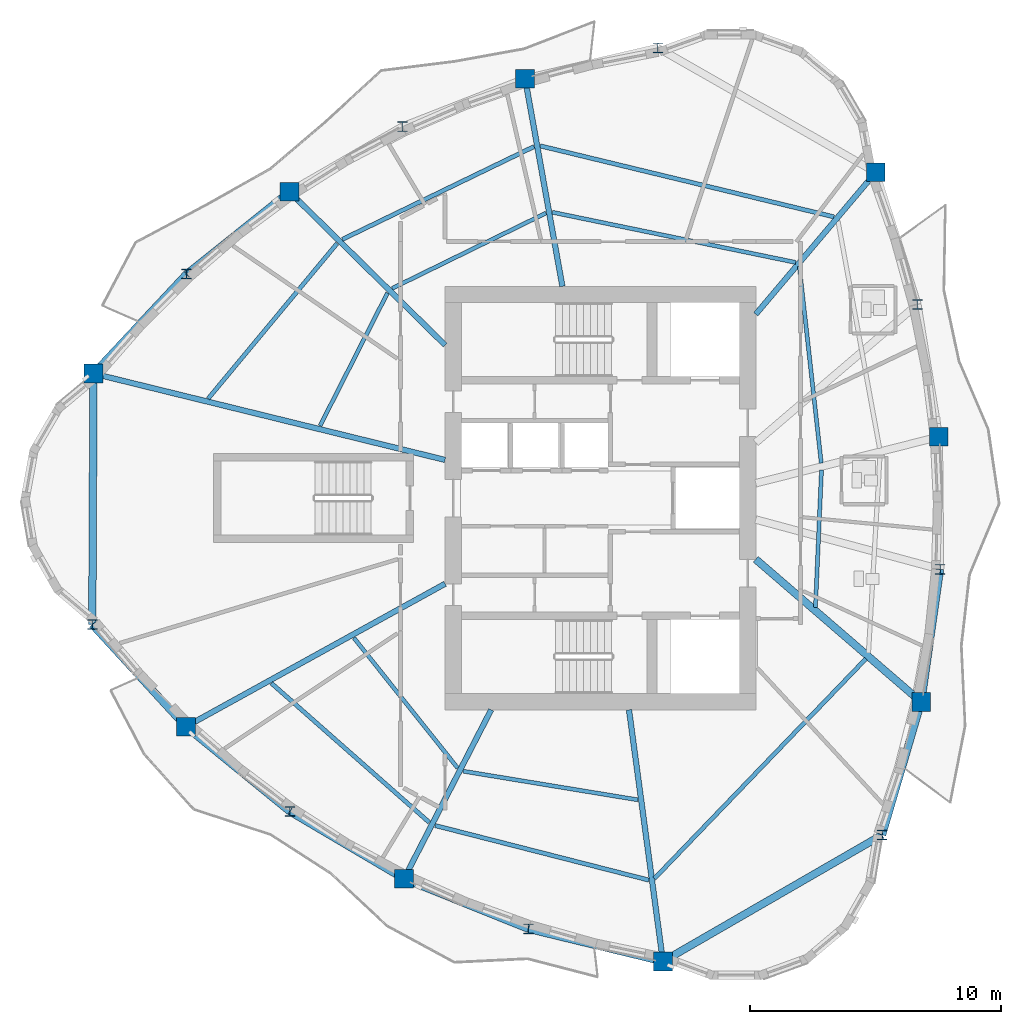
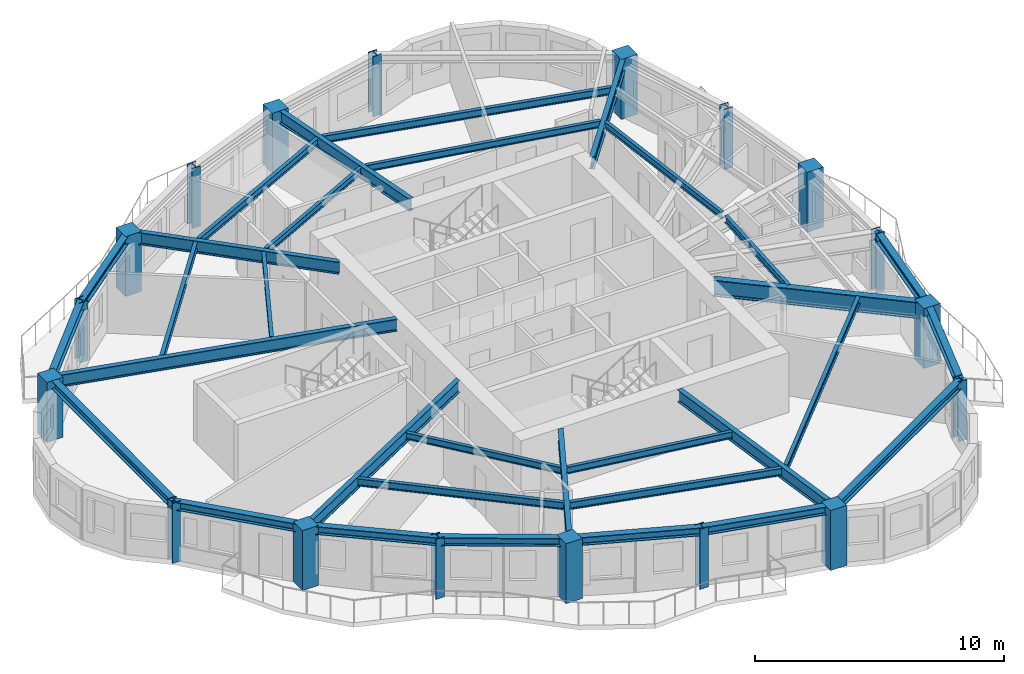
# One storey, part 1 of 12: 32 beams, 18 columns.
"""IFC4 building model written with IfcOpenShell, lengths in metres."""

from ifc_helpers import new_model, si_unit, direction, frame, origin, origin_2d, place, context, subcontext, project, spatial, rectangle, i_section, extrude, source, transform, mapped, material, material_profile, profile_set, type_object, element, save


model = new_model("IFC4")

# Units and contexts
model_context = context("Model", 3, precision=1e-05, world=origin(), true_north=direction((0.0, 1.0)))
body_context = subcontext(model_context, "Body", "Model", "MODEL_VIEW")
ifc_project = project(units=[si_unit("LENGTHUNIT", "METRE"), si_unit("AREAUNIT", "SQUARE_METRE"), si_unit("VOLUMEUNIT", "CUBIC_METRE"), si_unit("PLANEANGLEUNIT", "RADIAN"), si_unit("MASSUNIT", "GRAM", prefix="KILO")], contexts=[model_context])

# Site, building, storey
site_placement = place(None, origin())
site = spatial("IfcSite", under=ifc_project, at=site_placement, CompositionType="ELEMENT")
building_placement = place(site_placement, origin())
building = spatial("IfcBuilding", under=site, at=building_placement, Name="Qafzar Sky-Pleat Residences", CompositionType="ELEMENT")
storey_placement = place(building_placement, frame((0.0, 0.0, 149.0)))
storey = spatial("IfcBuildingStorey", under=building, at=storey_placement, Name="L44", CompositionType="ELEMENT", Elevation=149.0)

# Columns
ifc_material_1 = material(Name="Concrete C60/75", Category="concrete")
ifc_material_profile_1 = material_profile(ifc_material_1, rectangle(XDim=0.75, YDim=0.75, at=origin_2d()), Name="RC 750x750")
ifc_profile_set_1 = profile_set([ifc_material_profile_1], Name="Concrete C60/75")
column_type_1 = type_object("IfcColumnType", Name="COL-RC-750", PredefinedType="COLUMN", material=ifc_profile_set_1)
shared_shape_1 = source(origin(), body_context, "Body", "SweptSolid", [
    extrude(rectangle(XDim=0.75, YDim=0.75, at=origin_2d()), origin(), (0.0, 0.0, 1.0), 2.93505859375),
])
for number, where, z_axis, x_axis, name in (
    (1, (10.118896484375, 30.967529296875, 0.0), (0.0, 0.0, 1.0), (1.0, 0.0, 0.0), "L44 Perimeter Mega Column 1"),
    (2, (13.80810546875, 16.87646484375, 0.0), (0.0, 0.0, 1.0), (1.0, 0.0, 0.0), "L44 Perimeter Mega Column 3"),
    (3, (22.509521484375, 10.806640625, 0.0), (0.0, 0.0, 1.0), (1.0, 0.0, 0.0), "L44 Perimeter Mega Column 5"),
    (4, (32.845458984375, 7.506103515625, 0.0), (0.0, 0.0, 1.0), (1.0, 0.0, 0.0), "L44 Perimeter Mega Column 7"),
    (5, (43.150390625, 17.861572265625, 0.0), (0.0, 0.0, 1.0), (1.0, 0.0, 0.0), "L44 Perimeter Mega Column 9"),
    (6, (43.852294921875, 28.447265625, 0.0), (0.0, 0.0, 1.0), (1.0, 0.0, 0.0), "L44 Perimeter Mega Column 11"),
    (7, (41.33837890625, 39.002197265625, 0.0), (0.0, 0.0, 1.0), (1.0, 0.0, 0.0), "L44 Perimeter Mega Column 13"),
    (8, (27.34423828125, 42.738037109375, 0.0), (0.0, 0.0, 1.0), (1.0, 0.0, 0.0), "L44 Perimeter Mega Column 15"),
    (9, (17.94091796875, 38.221923828125, 0.0), (0.0, 0.0, 1.0), (1.0, 0.0, 0.0), "L44 Perimeter Mega Column 17"),
):
    element("IfcColumn", number, at=place(storey_placement, frame(where, z_axis=z_axis, x_axis=x_axis)), inside=storey, type_object=column_type_1, Name=name, PredefinedType="COLUMN", context=body_context, shape_type="MappedRepresentation", body=[
        mapped(shared_shape_1, transform((0.0, 0.0, 0.0), x_axis=(1.0, 0.0, 0.0), y_axis=(0.0, 1.0, 0.0), z_axis=(0.0, 0.0, 1.0), scale=1.0)),
    ])
ifc_material_2 = material(Name="Steel S355", Category="steel")
ifc_material_profile_2 = material_profile(ifc_material_2, i_section(OverallWidth=0.40087890625, OverallDepth=0.39892578125, WebThickness=0.02294921875, FlangeThickness=0.035888671875, FilletRadius=0.014892578125, at=origin_2d()), Name="HD 400x314")
ifc_profile_set_2 = profile_set([ifc_material_profile_2], Name="Steel S355")
column_type_2 = type_object("IfcColumnType", Name="COL-STL-HD314", PredefinedType="PILASTER", material=ifc_profile_set_2)
shared_shape_2 = source(origin(), body_context, "Body", "SweptSolid", [
    extrude(i_section(OverallWidth=0.40087890625, OverallDepth=0.39892578125, WebThickness=0.02294921875, FlangeThickness=0.035888671875, FilletRadius=0.014892578125, at=origin_2d()), origin(), (0.0, 0.0, 1.0), 2.93505859375),
])
for number, where, z_axis, x_axis, name in (
    (10, (10.070556640625, 20.94970703125, 0.0), (0.0, 0.0, 1.0), (1.0, 0.0, 0.0), "L44 Perimeter Mega Column 2"),
    (11, (17.954345703125, 13.495361328125, 0.0), (0.0, 0.0, 1.0), (1.0, 0.0, 0.0), "L44 Perimeter Mega Column 4"),
    (12, (27.472900390625, 8.810302734375, 0.0), (0.0, 0.0, 1.0), (1.0, 0.0, 0.0), "L44 Perimeter Mega Column 6"),
    (13, (41.593505859375, 12.556884765625, 0.0), (0.0, 0.0, 1.0), (1.0, 0.0, 0.0), "L44 Perimeter Mega Column 8"),
    (14, (43.9033203125, 23.158203125, 0.0), (0.0, 0.0, 1.0), (1.0, 0.0, 0.0), "L44 Perimeter Mega Column 10"),
    (15, (42.997314453125, 33.728759765625, 0.0), (0.0, 0.0, 1.0), (1.0, 0.0, 0.0), "L44 Perimeter Mega Column 12"),
    (16, (32.638671875, 43.96923828125, 0.0), (0.0, 0.0, 1.0), (1.0, 0.0, 0.0), "L44 Perimeter Mega Column 14"),
    (17, (22.445068359375, 40.822265625, 0.0), (0.0, 0.0, 1.0), (1.0, 0.0, 0.0), "L44 Perimeter Mega Column 16"),
    (18, (13.832275390625, 34.93701171875, 0.0), (0.0, 0.0, 1.0), (1.0, 0.0, 0.0), "L44 Perimeter Mega Column 18"),
):
    element("IfcColumn", number, at=place(storey_placement, frame(where, z_axis=z_axis, x_axis=x_axis)), inside=storey, type_object=column_type_2, Name=name, PredefinedType="PILASTER", context=body_context, shape_type="MappedRepresentation", body=[
        mapped(shared_shape_2, transform((0.0, 0.0, 0.0), x_axis=(1.0, 0.0, 0.0), y_axis=(0.0, 1.0, 0.0), z_axis=(0.0, 0.0, 1.0), scale=1.0)),
    ])

# Beams
ifc_material_profile_3 = material_profile(ifc_material_2, i_section(OverallWidth=0.300048828125, OverallDepth=0.39990234375, WebThickness=0.013427734375, FlangeThickness=0.02392578125, FilletRadius=0.027099609375, at=origin_2d()), Name="HEB 400")
ifc_profile_set_3 = profile_set([ifc_material_profile_3], Name="Steel S355")
beam_type_1 = type_object("IfcBeamType", Name="BM-SPAN-HEB400", PredefinedType="SPANDREL", material=ifc_profile_set_3)
shared_shape_3 = source(origin(), body_context, "Body", "SweptSolid", [
    extrude(i_section(OverallWidth=0.300048828125, OverallDepth=0.39990234375, WebThickness=0.013427734375, FlangeThickness=0.02392578125, FilletRadius=0.027099609375, at=origin_2d()), origin(), (0.0, 0.0, 1.0), 10.017822265625),
])
beam_1_placement = place(storey_placement, frame((10.118896484375, 30.967529296875, 2.73291015625), z_axis=(-0.00482532827, -0.999988358036, 0.0), x_axis=(0.999988358036, -0.00482532827, 0.0)))
element("IfcBeam", 19, at=beam_1_placement, inside=storey, type_object=beam_type_1, Name="L44 Perimeter Spandrel Beam 1", PredefinedType="SPANDREL", context=body_context, shape_type="MappedRepresentation", body=[
    mapped(shared_shape_3, transform((0.0, 0.0, 0.0), x_axis=(1.0, 0.0, 0.0), y_axis=(0.0, 1.0, 0.0), z_axis=(0.0, 0.0, 1.0), scale=1.0)),
])
shared_shape_4 = source(origin(), body_context, "Body", "SweptSolid", [
    extrude(i_section(OverallWidth=0.300048828125, OverallDepth=0.39990234375, WebThickness=0.013427734375, FlangeThickness=0.02392578125, FilletRadius=0.027099609375, at=origin_2d()), origin(), (0.0, 0.0, 1.0), 5.528076171875),
])
beam_2_placement = place(storey_placement, frame((10.070556640625, 20.94970703125, 2.73291015625), z_axis=(0.676092514403, -0.736816742459, 0.0), x_axis=(0.736816742459, 0.676092514403, 0.0)))
element("IfcBeam", 20, at=beam_2_placement, inside=storey, type_object=beam_type_1, Name="L44 Perimeter Spandrel Beam 2", PredefinedType="SPANDREL", context=body_context, shape_type="MappedRepresentation", body=[
    mapped(shared_shape_4, transform((0.0, 0.0, 0.0), x_axis=(1.0, 0.0, 0.0), y_axis=(0.0, 1.0, 0.0), z_axis=(0.0, 0.0, 1.0), scale=1.0)),
])
shared_shape_5 = source(origin(), body_context, "Body", "SweptSolid", [
    extrude(i_section(OverallWidth=0.300048828125, OverallDepth=0.39990234375, WebThickness=0.013427734375, FlangeThickness=0.02392578125, FilletRadius=0.027099609375, at=origin_2d()), origin(), (0.0, 0.0, 1.0), 5.35009765625),
])
beam_3_placement = place(storey_placement, frame((13.80810546875, 16.87646484375, 2.73291015625), z_axis=(0.774989116833, -0.631974579228, 0.0), x_axis=(0.631974579228, 0.774989116833, 0.0)))
element("IfcBeam", 21, at=beam_3_placement, inside=storey, type_object=beam_type_1, Name="L44 Perimeter Spandrel Beam 3", PredefinedType="SPANDREL", context=body_context, shape_type="MappedRepresentation", body=[
    mapped(shared_shape_5, transform((0.0, 0.0, 0.0), x_axis=(1.0, 0.0, 0.0), y_axis=(0.0, 1.0, 0.0), z_axis=(0.0, 0.0, 1.0), scale=1.0)),
])
shared_shape_6 = source(origin(), body_context, "Body", "SweptSolid", [
    extrude(i_section(OverallWidth=0.300048828125, OverallDepth=0.39990234375, WebThickness=0.013427734375, FlangeThickness=0.02392578125, FilletRadius=0.027099609375, at=origin_2d()), origin(), (0.0, 0.0, 1.0), 5.28955078125),
])
beam_4_placement = place(storey_placement, frame((17.954345703125, 13.495361328125, 2.73291015625), z_axis=(0.861172685221, -0.508312508433, 0.0), x_axis=(0.508312508433, 0.861172685221, 0.0)))
element("IfcBeam", 22, at=beam_4_placement, inside=storey, type_object=beam_type_1, Name="L44 Perimeter Spandrel Beam 4", PredefinedType="SPANDREL", context=body_context, shape_type="MappedRepresentation", body=[
    mapped(shared_shape_6, transform((0.0, 0.0, 0.0), x_axis=(1.0, 0.0, 0.0), y_axis=(0.0, 1.0, 0.0), z_axis=(0.0, 0.0, 1.0), scale=1.0)),
])
shared_shape_7 = source(origin(), body_context, "Body", "SweptSolid", [
    extrude(i_section(OverallWidth=0.300048828125, OverallDepth=0.39990234375, WebThickness=0.013427734375, FlangeThickness=0.02392578125, FilletRadius=0.027099609375, at=origin_2d()), origin(), (0.0, 0.0, 1.0), 5.349853515625),
])
for number, where, z_axis, x_axis, name in (
    (23, (22.509521484375, 10.806640625, 2.73291015625), (0.927766868226, -0.373160338489, 0.0), (0.373160338489, 0.927766868226, 0.0), "L44 Perimeter Spandrel Beam 5"),
    (24, (43.150390625, 17.861572265625, 2.73291015625), (0.140737713263, 0.990046916093, 0.0), (-0.990046916093, 0.140737713263, 0.0), "L44 Perimeter Spandrel Beam 9"),
):
    element("IfcBeam", number, at=place(storey_placement, frame(where, z_axis=z_axis, x_axis=x_axis)), inside=storey, type_object=beam_type_1, Name=name, PredefinedType="SPANDREL", context=body_context, shape_type="MappedRepresentation", body=[
        mapped(shared_shape_7, transform((0.0, 0.0, 0.0), x_axis=(1.0, 0.0, 0.0), y_axis=(0.0, 1.0, 0.0), z_axis=(0.0, 0.0, 1.0), scale=1.0)),
    ])
shared_shape_8 = source(origin(), body_context, "Body", "SweptSolid", [
    extrude(i_section(OverallWidth=0.300048828125, OverallDepth=0.39990234375, WebThickness=0.013427734375, FlangeThickness=0.02392578125, FilletRadius=0.027099609375, at=origin_2d()), origin(), (0.0, 0.0, 1.0), 5.528564453125),
])
beam_5_placement = place(storey_placement, frame((27.472900390625, 8.810302734375, 2.73291015625), z_axis=(0.971777136358, -0.235900820795, 0.0), x_axis=(0.235900820795, 0.971777136358, 0.0)))
element("IfcBeam", 25, at=beam_5_placement, inside=storey, type_object=beam_type_1, Name="L44 Perimeter Spandrel Beam 6", PredefinedType="SPANDREL", context=body_context, shape_type="MappedRepresentation", body=[
    mapped(shared_shape_8, transform((0.0, 0.0, 0.0), x_axis=(1.0, 0.0, 0.0), y_axis=(0.0, 1.0, 0.0), z_axis=(0.0, 0.0, 1.0), scale=1.0)),
])
shared_shape_9 = source(origin(), body_context, "Body", "SweptSolid", [
    extrude(i_section(OverallWidth=0.300048828125, OverallDepth=0.39990234375, WebThickness=0.013427734375, FlangeThickness=0.02392578125, FilletRadius=0.027099609375, at=origin_2d()), origin(), (0.0, 0.0, 1.0), 10.101318359375),
])
beam_6_placement = place(storey_placement, frame((32.845458984375, 7.506103515625, 2.73291015625), z_axis=(0.86602137294, 0.500006981563, 0.0), x_axis=(-0.500006981563, 0.86602137294, 0.0)))
element("IfcBeam", 26, at=beam_6_placement, inside=storey, type_object=beam_type_1, Name="L44 Perimeter Spandrel Beam 7", PredefinedType="SPANDREL", context=body_context, shape_type="MappedRepresentation", body=[
    mapped(shared_shape_9, transform((0.0, 0.0, 0.0), x_axis=(1.0, 0.0, 0.0), y_axis=(0.0, 1.0, 0.0), z_axis=(0.0, 0.0, 1.0), scale=1.0)),
])
shared_shape_10 = source(origin(), body_context, "Body", "SweptSolid", [
    extrude(i_section(OverallWidth=0.300048828125, OverallDepth=0.39990234375, WebThickness=0.013427734375, FlangeThickness=0.02392578125, FilletRadius=0.027099609375, at=origin_2d()), origin(), (0.0, 0.0, 1.0), 5.5283203125),
])
beam_7_placement = place(storey_placement, frame((41.593505859375, 12.556884765625, 2.73291015625), z_axis=(0.281613984851, 0.959527781534, 0.0), x_axis=(-0.959527781534, 0.281613984851, 0.0)))
element("IfcBeam", 27, at=beam_7_placement, inside=storey, type_object=beam_type_1, Name="L44 Perimeter Spandrel Beam 8", PredefinedType="SPANDREL", context=body_context, shape_type="MappedRepresentation", body=[
    mapped(shared_shape_10, transform((0.0, 0.0, 0.0), x_axis=(1.0, 0.0, 0.0), y_axis=(0.0, 1.0, 0.0), z_axis=(0.0, 0.0, 1.0), scale=1.0)),
])
shared_shape_11 = source(origin(), body_context, "Body", "SweptSolid", [
    extrude(i_section(OverallWidth=0.300048828125, OverallDepth=0.39990234375, WebThickness=0.013427734375, FlangeThickness=0.02392578125, FilletRadius=0.027099609375, at=origin_2d()), origin(), (0.0, 0.0, 1.0), 5.260498046875),
])
beam_8_placement = place(storey_placement, frame((17.94091796875, 38.221923828125, 2.73291015625), z_axis=(-0.781054419842, -0.62446296387, 0.0), x_axis=(0.62446296387, -0.781054419842, 0.0)))
element("IfcBeam", 28, at=beam_8_placement, inside=storey, type_object=beam_type_1, Name="L44 Perimeter Spandrel Beam 17", PredefinedType="SPANDREL", context=body_context, shape_type="MappedRepresentation", body=[
    mapped(shared_shape_11, transform((0.0, 0.0, 0.0), x_axis=(1.0, 0.0, 0.0), y_axis=(0.0, 1.0, 0.0), z_axis=(0.0, 0.0, 1.0), scale=1.0)),
])
shared_shape_12 = source(origin(), body_context, "Body", "SweptSolid", [
    extrude(i_section(OverallWidth=0.300048828125, OverallDepth=0.39990234375, WebThickness=0.013427734375, FlangeThickness=0.02392578125, FilletRadius=0.027099609375, at=origin_2d()), origin(), (0.0, 0.0, 1.0), 5.435546875),
])
beam_9_placement = place(storey_placement, frame((13.832275390625, 34.93701171875, 2.73291015625), z_axis=(-0.683156356099, -0.730272136345, 0.0), x_axis=(0.730272136345, -0.683156356099, 0.0)))
element("IfcBeam", 29, at=beam_9_placement, inside=storey, type_object=beam_type_1, Name="L44 Perimeter Spandrel Beam 18", PredefinedType="SPANDREL", context=body_context, shape_type="MappedRepresentation", body=[
    mapped(shared_shape_12, transform((0.0, 0.0, 0.0), x_axis=(1.0, 0.0, 0.0), y_axis=(0.0, 1.0, 0.0), z_axis=(0.0, 0.0, 1.0), scale=1.0)),
])
ifc_material_profile_4 = material_profile(ifc_material_2, i_section(OverallWidth=0.219970703125, OverallDepth=0.60009765625, WebThickness=0.011962890625, FlangeThickness=0.01904296875, FilletRadius=0.02392578125, at=origin_2d()), Name="IPE 600")
ifc_profile_set_4 = profile_set([ifc_material_profile_4], Name="Steel S355")
beam_type_2 = type_object("IfcBeamType", Name="BM-SEC-IPE600", PredefinedType="BEAM", material=ifc_profile_set_4)
shared_shape_13 = source(origin(), body_context, "Body", "SweptSolid", [
    extrude(i_section(OverallWidth=0.219970703125, OverallDepth=0.60009765625, WebThickness=0.011962890625, FlangeThickness=0.01904296875, FilletRadius=0.02392578125, at=origin_2d()), origin(), (0.0, 0.0, 1.0), 14.44775390625),
])
beam_10_placement = place(storey_placement, frame((10.118896484375, 30.967529296875, 2.633056640625), z_axis=(0.971150841514, -0.238466020696, 0.0), x_axis=(0.238466020696, 0.971150841514, 0.0)))
element("IfcBeam", 30, at=beam_10_placement, inside=storey, type_object=beam_type_2, Name="L44 Radial Floor Girder 1", PredefinedType="BEAM", context=body_context, shape_type="MappedRepresentation", body=[
    mapped(shared_shape_13, transform((0.0, 0.0, 0.0), x_axis=(1.0, 0.0, 0.0), y_axis=(0.0, 1.0, 0.0), z_axis=(0.0, 0.0, 1.0), scale=1.0)),
])
shared_shape_14 = source(origin(), body_context, "Body", "SweptSolid", [
    extrude(i_section(OverallWidth=0.219970703125, OverallDepth=0.60009765625, WebThickness=0.011962890625, FlangeThickness=0.01904296875, FilletRadius=0.02392578125, at=origin_2d()), origin(), (0.0, 0.0, 1.0), 11.810546875),
])
beam_11_placement = place(storey_placement, frame((13.80810546875, 16.87646484375, 2.633056640625), z_axis=(0.875647924206, 0.482950010699, 0.0), x_axis=(-0.482950010699, 0.875647924206, 0.0)))
element("IfcBeam", 31, at=beam_11_placement, inside=storey, type_object=beam_type_2, Name="L44 Radial Floor Girder 3", PredefinedType="BEAM", context=body_context, shape_type="MappedRepresentation", body=[
    mapped(shared_shape_14, transform((0.0, 0.0, 0.0), x_axis=(1.0, 0.0, 0.0), y_axis=(0.0, 1.0, 0.0), z_axis=(0.0, 0.0, 1.0), scale=1.0)),
])
shared_shape_15 = source(origin(), body_context, "Body", "SweptSolid", [
    extrude(i_section(OverallWidth=0.219970703125, OverallDepth=0.60009765625, WebThickness=0.011962890625, FlangeThickness=0.01904296875, FilletRadius=0.02392578125, at=origin_2d()), origin(), (0.0, 0.0, 1.0), 7.58837890625),
])
beam_12_placement = place(storey_placement, frame((22.509521484375, 10.806640625, 2.633056640625), z_axis=(0.458592108619, 0.888646880326, 0.0), x_axis=(-0.888646880326, 0.458592108619, 0.0)))
element("IfcBeam", 32, at=beam_12_placement, inside=storey, type_object=beam_type_2, Name="L44 Radial Floor Girder 5", PredefinedType="BEAM", context=body_context, shape_type="MappedRepresentation", body=[
    mapped(shared_shape_15, transform((0.0, 0.0, 0.0), x_axis=(1.0, 0.0, 0.0), y_axis=(0.0, 1.0, 0.0), z_axis=(0.0, 0.0, 1.0), scale=1.0)),
])
shared_shape_16 = source(origin(), body_context, "Body", "SweptSolid", [
    extrude(i_section(OverallWidth=0.219970703125, OverallDepth=0.60009765625, WebThickness=0.011962890625, FlangeThickness=0.01904296875, FilletRadius=0.02392578125, at=origin_2d()), origin(), (0.0, 0.0, 1.0), 10.135009765625),
])
beam_13_placement = place(storey_placement, frame((32.845458984375, 7.506103515625, 2.633056640625), z_axis=(-0.133717768347, 0.991019454112, 0.0), x_axis=(-0.991019454112, -0.133717768347, 0.0)))
element("IfcBeam", 33, at=beam_13_placement, inside=storey, type_object=beam_type_2, Name="L44 Radial Floor Girder 7", PredefinedType="BEAM", context=body_context, shape_type="MappedRepresentation", body=[
    mapped(shared_shape_16, transform((0.0, 0.0, 0.0), x_axis=(1.0, 0.0, 0.0), y_axis=(0.0, 1.0, 0.0), z_axis=(0.0, 0.0, 1.0), scale=1.0)),
])
shared_shape_17 = source(origin(), body_context, "Body", "SweptSolid", [
    extrude(i_section(OverallWidth=0.219970703125, OverallDepth=0.60009765625, WebThickness=0.011962890625, FlangeThickness=0.01904296875, FilletRadius=0.02392578125, at=origin_2d()), origin(), (0.0, 0.0, 1.0), 7.41845703125),
])
beam_14_placement = place(storey_placement, frame((41.33837890625, 39.002197265625, 2.633056640625), z_axis=(-0.645471500126, -0.763784356036, 0.0), x_axis=(0.763784356036, -0.645471500126, 0.0)))
element("IfcBeam", 34, at=beam_14_placement, inside=storey, type_object=beam_type_2, Name="L44 Radial Floor Girder 13", PredefinedType="BEAM", context=body_context, shape_type="MappedRepresentation", body=[
    mapped(shared_shape_17, transform((0.0, 0.0, 0.0), x_axis=(1.0, 0.0, 0.0), y_axis=(0.0, 1.0, 0.0), z_axis=(0.0, 0.0, 1.0), scale=1.0)),
])
shared_shape_18 = source(origin(), body_context, "Body", "SweptSolid", [
    extrude(i_section(OverallWidth=0.219970703125, OverallDepth=0.60009765625, WebThickness=0.011962890625, FlangeThickness=0.01904296875, FilletRadius=0.02392578125, at=origin_2d()), origin(), (0.0, 0.0, 1.0), 8.420654296875),
])
beam_15_placement = place(storey_placement, frame((27.34423828125, 42.738037109375, 2.633056640625), z_axis=(0.176741844964, -0.984257242919, 0.0), x_axis=(0.984257242919, 0.176741844964, 0.0)))
element("IfcBeam", 35, at=beam_15_placement, inside=storey, type_object=beam_type_2, Name="L44 Radial Floor Girder 15", PredefinedType="BEAM", context=body_context, shape_type="MappedRepresentation", body=[
    mapped(shared_shape_18, transform((0.0, 0.0, 0.0), x_axis=(1.0, 0.0, 0.0), y_axis=(0.0, 1.0, 0.0), z_axis=(0.0, 0.0, 1.0), scale=1.0)),
])
shared_shape_19 = source(origin(), body_context, "Body", "SweptSolid", [
    extrude(i_section(OverallWidth=0.219970703125, OverallDepth=0.60009765625, WebThickness=0.011962890625, FlangeThickness=0.01904296875, FilletRadius=0.02392578125, at=origin_2d()), origin(), (0.0, 0.0, 1.0), 8.71484375),
])
beam_16_placement = place(storey_placement, frame((17.94091796875, 38.221923828125, 2.633056640625), z_axis=(0.712465109952, -0.701707536728, 0.0), x_axis=(0.701707536728, 0.712465109952, 0.0)))
element("IfcBeam", 36, at=beam_16_placement, inside=storey, type_object=beam_type_2, Name="L44 Radial Floor Girder 17", PredefinedType="BEAM", context=body_context, shape_type="MappedRepresentation", body=[
    mapped(shared_shape_19, transform((0.0, 0.0, 0.0), x_axis=(1.0, 0.0, 0.0), y_axis=(0.0, 1.0, 0.0), z_axis=(0.0, 0.0, 1.0), scale=1.0)),
])
ifc_material_profile_5 = material_profile(ifc_material_2, i_section(OverallWidth=0.169921875, OverallDepth=0.360107421875, WebThickness=0.008056640625, FlangeThickness=0.0126953125, FilletRadius=0.01806640625, at=origin_2d()), Name="IPE 360")
ifc_profile_set_5 = profile_set([ifc_material_profile_5], Name="Steel S355")
beam_type_3 = type_object("IfcBeamType", Name="BM-JST-IPE360", PredefinedType="JOIST", material=ifc_profile_set_5)
shared_shape_20 = source(origin(), body_context, "Body", "SweptSolid", [
    extrude(i_section(OverallWidth=0.169921875, OverallDepth=0.360107421875, WebThickness=0.008056640625, FlangeThickness=0.0126953125, FilletRadius=0.01806640625, at=origin_2d()), origin(), (0.0, 0.0, 1.0), 8.40380859375),
])
beam_17_placement = place(storey_placement, frame((17.21875, 18.6123046875, 2.7529296875), z_axis=(0.750006540858, -0.661430411057, 0.0), x_axis=(0.661430411057, 0.750006540858, 0.0)))
element("IfcBeam", 37, at=beam_17_placement, inside=storey, type_object=beam_type_3, Name="L44 Outer Secondary Floor Joist 2", PredefinedType="JOIST", context=body_context, shape_type="MappedRepresentation", body=[
    mapped(shared_shape_20, transform((0.0, 0.0, 0.0), x_axis=(1.0, 0.0, 0.0), y_axis=(0.0, 1.0, 0.0), z_axis=(0.0, 0.0, 1.0), scale=1.0)),
])
shared_shape_21 = source(origin(), body_context, "Body", "SweptSolid", [
    extrude(i_section(OverallWidth=0.169921875, OverallDepth=0.360107421875, WebThickness=0.008056640625, FlangeThickness=0.0126953125, FilletRadius=0.01806640625, at=origin_2d()), origin(), (0.0, 0.0, 1.0), 8.80078125),
])
beam_18_placement = place(storey_placement, frame((23.75390625, 12.93115234375, 2.7529296875), z_axis=(0.968907948076, -0.247421478767, 0.0), x_axis=(0.247421478767, 0.968907948076, 0.0)))
element("IfcBeam", 38, at=beam_18_placement, inside=storey, type_object=beam_type_3, Name="L44 Outer Secondary Floor Joist 3", PredefinedType="JOIST", context=body_context, shape_type="MappedRepresentation", body=[
    mapped(shared_shape_21, transform((0.0, 0.0, 0.0), x_axis=(1.0, 0.0, 0.0), y_axis=(0.0, 1.0, 0.0), z_axis=(0.0, 0.0, 1.0), scale=1.0)),
])
shared_shape_22 = source(origin(), body_context, "Body", "SweptSolid", [
    extrude(i_section(OverallWidth=0.169921875, OverallDepth=0.360107421875, WebThickness=0.008056640625, FlangeThickness=0.0126953125, FilletRadius=0.01806640625, at=origin_2d()), origin(), (0.0, 0.0, 1.0), 12.060791015625),
])
beam_19_placement = place(storey_placement, frame((39.6748046875, 37.220703125, 2.7529296875), z_axis=(-0.972010836803, 0.234936019242, 0.0), x_axis=(-0.234936019242, -0.972010836803, 0.0)))
element("IfcBeam", 39, at=beam_19_placement, inside=storey, type_object=beam_type_3, Name="L44 Outer Secondary Floor Joist 7", PredefinedType="JOIST", context=body_context, shape_type="MappedRepresentation", body=[
    mapped(shared_shape_22, transform((0.0, 0.0, 0.0), x_axis=(1.0, 0.0, 0.0), y_axis=(0.0, 1.0, 0.0), z_axis=(0.0, 0.0, 1.0), scale=1.0)),
])
shared_shape_23 = source(origin(), body_context, "Body", "SweptSolid", [
    extrude(i_section(OverallWidth=0.169921875, OverallDepth=0.360107421875, WebThickness=0.008056640625, FlangeThickness=0.0126953125, FilletRadius=0.01806640625, at=origin_2d()), origin(), (0.0, 0.0, 1.0), 8.498779296875),
])
beam_20_placement = place(storey_placement, frame((27.698974609375, 40.027099609375, 2.7529296875), z_axis=(-0.900081850531, -0.435720853696, 0.0), x_axis=(0.435720853696, -0.900081850531, 0.0)))
element("IfcBeam", 40, at=beam_20_placement, inside=storey, type_object=beam_type_3, Name="L44 Outer Secondary Floor Joist 8", PredefinedType="JOIST", context=body_context, shape_type="MappedRepresentation", body=[
    mapped(shared_shape_23, transform((0.0, 0.0, 0.0), x_axis=(1.0, 0.0, 0.0), y_axis=(0.0, 1.0, 0.0), z_axis=(0.0, 0.0, 1.0), scale=1.0)),
])
shared_shape_24 = source(origin(), body_context, "Body", "SweptSolid", [
    extrude(i_section(OverallWidth=0.169921875, OverallDepth=0.360107421875, WebThickness=0.008056640625, FlangeThickness=0.0126953125, FilletRadius=0.01806640625, at=origin_2d()), origin(), (0.0, 0.0, 1.0), 8.0517578125),
])
beam_21_placement = place(storey_placement, frame((19.841552734375, 36.1611328125, 2.7529296875), z_axis=(-0.639184728214, -0.769053238221, 0.0), x_axis=(0.769053238221, -0.639184728214, 0.0)))
element("IfcBeam", 41, at=beam_21_placement, inside=storey, type_object=beam_type_3, Name="L44 Outer Secondary Floor Joist 9", PredefinedType="JOIST", context=body_context, shape_type="MappedRepresentation", body=[
    mapped(shared_shape_24, transform((0.0, 0.0, 0.0), x_axis=(1.0, 0.0, 0.0), y_axis=(0.0, 1.0, 0.0), z_axis=(0.0, 0.0, 1.0), scale=1.0)),
])
ifc_material_profile_6 = material_profile(ifc_material_2, i_section(OverallWidth=0.159912109375, OverallDepth=0.330078125, WebThickness=0.007568359375, FlangeThickness=0.011474609375, FilletRadius=0.01806640625, at=origin_2d()), Name="IPE 330")
ifc_profile_set_6 = profile_set([ifc_material_profile_6], Name="Steel S355")
beam_type_4 = type_object("IfcBeamType", Name="BM-JST-IPE330", PredefinedType="JOIST", material=ifc_profile_set_6)
shared_shape_25 = source(origin(), body_context, "Body", "SweptSolid", [
    extrude(i_section(OverallWidth=0.159912109375, OverallDepth=0.330078125, WebThickness=0.007568359375, FlangeThickness=0.011474609375, FilletRadius=0.01806640625, at=origin_2d()), origin(), (0.0, 0.0, 1.0), 6.642578125),
])
beam_22_placement = place(storey_placement, frame((20.510986328125, 20.42138671875, 2.76806640625), z_axis=(0.623452700646, -0.781861068257, 0.0), x_axis=(0.781861068257, 0.623452700646, 0.0)))
element("IfcBeam", 42, at=beam_22_placement, inside=storey, type_object=beam_type_4, Name="L44 Inner Secondary Floor Joist 2", PredefinedType="JOIST", context=body_context, shape_type="MappedRepresentation", body=[
    mapped(shared_shape_25, transform((0.0, 0.0, 0.0), x_axis=(1.0, 0.0, 0.0), y_axis=(0.0, 1.0, 0.0), z_axis=(0.0, 0.0, 1.0), scale=1.0)),
])
shared_shape_26 = source(origin(), body_context, "Body", "SweptSolid", [
    extrude(i_section(OverallWidth=0.159912109375, OverallDepth=0.330078125, WebThickness=0.007568359375, FlangeThickness=0.011474609375, FilletRadius=0.01806640625, at=origin_2d()), origin(), (0.0, 0.0, 1.0), 7.068359375),
])
beam_23_placement = place(storey_placement, frame((24.869873046875, 15.1005859375, 2.76806640625), z_axis=(0.986803428239, -0.161922802646, 0.0), x_axis=(0.161922802646, 0.986803428239, 0.0)))
element("IfcBeam", 43, at=beam_23_placement, inside=storey, type_object=beam_type_4, Name="L44 Inner Secondary Floor Joist 3", PredefinedType="JOIST", context=body_context, shape_type="MappedRepresentation", body=[
    mapped(shared_shape_26, transform((0.0, 0.0, 0.0), x_axis=(1.0, 0.0, 0.0), y_axis=(0.0, 1.0, 0.0), z_axis=(0.0, 0.0, 1.0), scale=1.0)),
])
shared_shape_27 = source(origin(), body_context, "Body", "SweptSolid", [
    extrude(i_section(OverallWidth=0.159912109375, OverallDepth=0.330078125, WebThickness=0.007568359375, FlangeThickness=0.011474609375, FilletRadius=0.01806640625, at=origin_2d()), origin(), (0.0, 0.0, 1.0), 9.9169921875),
])
beam_24_placement = place(storey_placement, frame((38.1416015625, 35.4033203125, 2.76806640625), z_axis=(-0.979387052241, 0.201992578831, 0.0), x_axis=(-0.201992578831, -0.979387052241, 0.0)))
element("IfcBeam", 44, at=beam_24_placement, inside=storey, type_object=beam_type_4, Name="L44 Inner Secondary Floor Joist 7", PredefinedType="JOIST", context=body_context, shape_type="MappedRepresentation", body=[
    mapped(shared_shape_27, transform((0.0, 0.0, 0.0), x_axis=(1.0, 0.0, 0.0), y_axis=(0.0, 1.0, 0.0), z_axis=(0.0, 0.0, 1.0), scale=1.0)),
])
shared_shape_28 = source(origin(), body_context, "Body", "SweptSolid", [
    extrude(i_section(OverallWidth=0.159912109375, OverallDepth=0.330078125, WebThickness=0.007568359375, FlangeThickness=0.011474609375, FilletRadius=0.01806640625, at=origin_2d()), origin(), (0.0, 0.0, 1.0), 6.83642578125),
])
beam_25_placement = place(storey_placement, frame((28.175537109375, 37.374267578125, 2.76806640625), z_axis=(-0.898082284452, -0.439827477943, 0.0), x_axis=(0.439827477943, -0.898082284452, 0.0)))
element("IfcBeam", 45, at=beam_25_placement, inside=storey, type_object=beam_type_4, Name="L44 Inner Secondary Floor Joist 8", PredefinedType="JOIST", context=body_context, shape_type="MappedRepresentation", body=[
    mapped(shared_shape_28, transform((0.0, 0.0, 0.0), x_axis=(1.0, 0.0, 0.0), y_axis=(0.0, 1.0, 0.0), z_axis=(0.0, 0.0, 1.0), scale=1.0)),
])
shared_shape_29 = source(origin(), body_context, "Body", "SweptSolid", [
    extrude(i_section(OverallWidth=0.159912109375, OverallDepth=0.330078125, WebThickness=0.007568359375, FlangeThickness=0.011474609375, FilletRadius=0.01806640625, at=origin_2d()), origin(), (0.0, 0.0, 1.0), 5.94970703125),
])
beam_26_placement = place(storey_placement, frame((21.853515625, 34.187744140625, 2.76806640625), z_axis=(-0.45273652912, -0.891644343447, 0.0), x_axis=(0.891644343447, -0.45273652912, 0.0)))
element("IfcBeam", 46, at=beam_26_placement, inside=storey, type_object=beam_type_4, Name="L44 Inner Secondary Floor Joist 9", PredefinedType="JOIST", context=body_context, shape_type="MappedRepresentation", body=[
    mapped(shared_shape_29, transform((0.0, 0.0, 0.0), x_axis=(1.0, 0.0, 0.0), y_axis=(0.0, 1.0, 0.0), z_axis=(0.0, 0.0, 1.0), scale=1.0)),
])
ifc_material_3 = material(Name="Steel S460", Category="steel")
ifc_material_profile_7 = material_profile(ifc_material_3, i_section(OverallWidth=0.300048828125, OverallDepth=0.800048828125, WebThickness=0.017578125, FlangeThickness=0.032958984375, FilletRadius=0.030029296875, at=origin_2d()), Name="HEB 800")
ifc_profile_set_7 = profile_set([ifc_material_profile_7], Name="Steel S460")
beam_type_5 = type_object("IfcBeamType", Name="BM-CHORD-HEB800", PredefinedType="BEAM", material=ifc_profile_set_7)
shared_shape_30 = source(origin(), body_context, "Body", "SweptSolid", [
    extrude(i_section(OverallWidth=0.300048828125, OverallDepth=0.800048828125, WebThickness=0.017578125, FlangeThickness=0.032958984375, FilletRadius=0.030029296875, at=origin_2d()), origin(), (0.0, 0.0, 1.0), 8.716796875),
])
beam_27_placement = place(storey_placement, frame((43.150390625, 17.861572265625, 2.532958984375), z_axis=(-0.757188779424, 0.653196105557, 0.0), x_axis=(-0.653196105557, -0.757188779424, 0.0)))
element("IfcBeam", 47, at=beam_27_placement, inside=storey, type_object=beam_type_5, Name="L45 Setback Transfer Girder 9", PredefinedType="BEAM", context=body_context, shape_type="MappedRepresentation", body=[
    mapped(shared_shape_30, transform((0.0, 0.0, 0.0), x_axis=(1.0, 0.0, 0.0), y_axis=(0.0, 1.0, 0.0), z_axis=(0.0, 0.0, 1.0), scale=1.0)),
])
shared_shape_31 = source(origin(), body_context, "Body", "SweptSolid", [
    extrude(i_section(OverallWidth=0.169921875, OverallDepth=0.360107421875, WebThickness=0.008056640625, FlangeThickness=0.0126953125, FilletRadius=0.01806640625, at=origin_2d()), origin(), (0.0, 0.0, 1.0), 12.170166015625),
])
beam_28_placement = place(storey_placement, frame((32.50537109375, 10.8173828125, 2.7529296875), z_axis=(0.693436183623, 0.720518049214, 0.0), x_axis=(-0.720518049214, 0.693436183623, 0.0)))
element("IfcBeam", 48, at=beam_28_placement, inside=storey, type_object=beam_type_3, Name="L44 Outer Secondary Floor Joist 4", PredefinedType="JOIST", context=body_context, shape_type="MappedRepresentation", body=[
    mapped(shared_shape_31, transform((0.0, 0.0, 0.0), x_axis=(1.0, 0.0, 0.0), y_axis=(0.0, 1.0, 0.0), z_axis=(0.0, 0.0, 1.0), scale=1.0)),
])
shared_shape_32 = source(origin(), body_context, "Body", "SweptSolid", [
    extrude(i_section(OverallWidth=0.159912109375, OverallDepth=0.330078125, WebThickness=0.007568359375, FlangeThickness=0.011474609375, FilletRadius=0.01806640625, at=origin_2d()), origin(), (0.0, 0.0, 1.0), 5.48974609375),
])
beam_29_placement = place(storey_placement, frame((38.931884765625, 21.640380859375, 2.76806640625), z_axis=(0.043894617904, 0.999036166772, 0.0), x_axis=(-0.999036166772, 0.043894617904, 0.0)))
element("IfcBeam", 49, at=beam_29_placement, inside=storey, type_object=beam_type_4, Name="L44 Inner Secondary Floor Joist 5", PredefinedType="JOIST", context=body_context, shape_type="MappedRepresentation", body=[
    mapped(shared_shape_32, transform((0.0, 0.0, 0.0), x_axis=(1.0, 0.0, 0.0), y_axis=(0.0, 1.0, 0.0), z_axis=(0.0, 0.0, 1.0), scale=1.0)),
])
shared_shape_33 = source(origin(), body_context, "Body", "SweptSolid", [
    extrude(i_section(OverallWidth=0.159912109375, OverallDepth=0.330078125, WebThickness=0.007568359375, FlangeThickness=0.011474609375, FilletRadius=0.01806640625, at=origin_2d()), origin(), (0.0, 0.0, 1.0), 7.896728515625),
])
beam_30_placement = place(storey_placement, frame((39.163818359375, 27.393798828125, 2.76806640625), z_axis=(-0.110804778614, 0.993842191214, 0.0), x_axis=(-0.993842191214, -0.110804778614, 0.0)))
element("IfcBeam", 50, at=beam_30_placement, inside=storey, type_object=beam_type_4, Name="L44 Inner Secondary Floor Joist 6", PredefinedType="JOIST", context=body_context, shape_type="MappedRepresentation", body=[
    mapped(shared_shape_33, transform((0.0, 0.0, 0.0), x_axis=(1.0, 0.0, 0.0), y_axis=(0.0, 1.0, 0.0), z_axis=(0.0, 0.0, 1.0), scale=1.0)),
])

save(model, "model.ifc")
